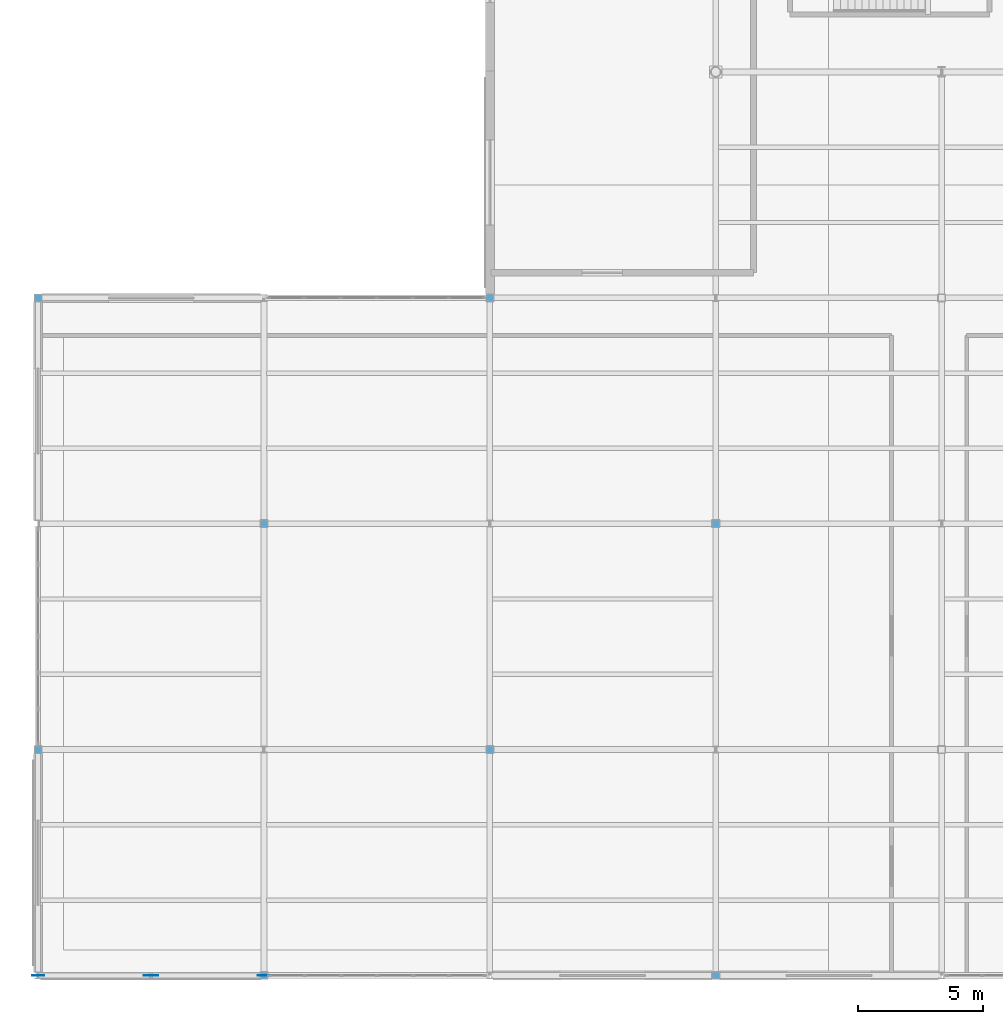
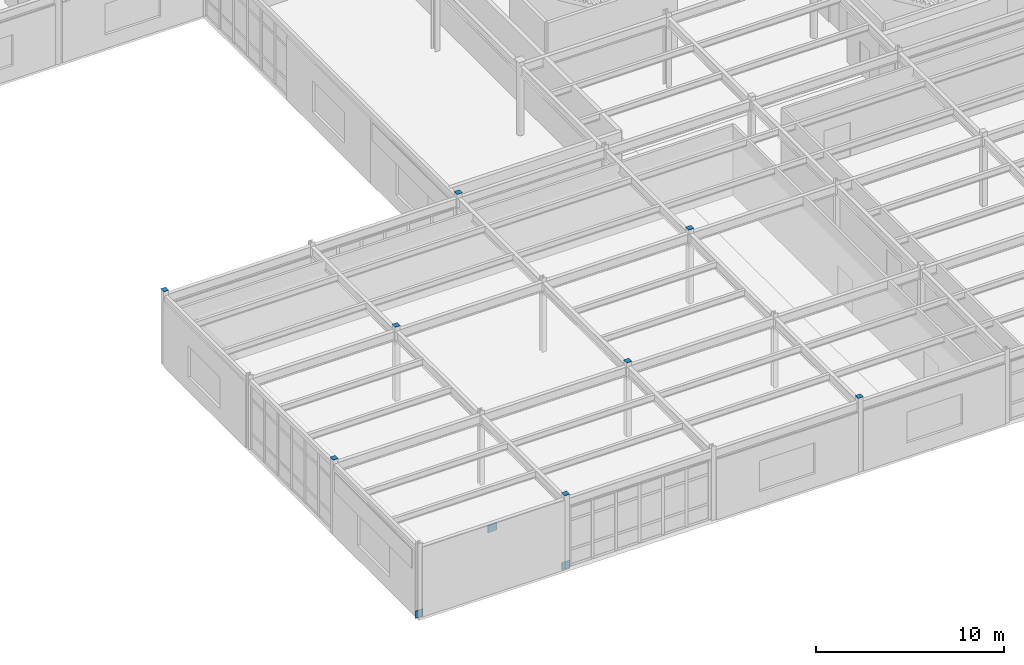
# One storey, part 67 of 84: 11 discrete accessories.
"""IFC4 building model written with IfcOpenShell, lengths in metres."""

from ifc_helpers import new_model, si_unit, direction, frame, origin, origin_2d, place, context, subcontext, project, spatial, rectangle, extrude, material, type_object, element, save


model = new_model("IFC4")

# Units and contexts
model_context = context("Model", 3, precision=1e-05, world=origin(), true_north=direction((0.0, 1.0)))
body_context = subcontext(model_context, "Body", "Model", "MODEL_VIEW")
ifc_project = project(units=[si_unit("LENGTHUNIT", "METRE"), si_unit("AREAUNIT", "SQUARE_METRE"), si_unit("VOLUMEUNIT", "CUBIC_METRE"), si_unit("PLANEANGLEUNIT", "RADIAN"), si_unit("MASSUNIT", "GRAM", prefix="KILO")], contexts=[model_context])

# Site, building, storey
site_placement = place(None, origin())
site = spatial("IfcSite", under=ifc_project, at=site_placement, CompositionType="ELEMENT")
building_placement = place(site_placement, origin())
building = spatial("IfcBuilding", under=site, at=building_placement, Name="Glasvene Arena", CompositionType="ELEMENT")
storey_placement = place(building_placement, frame((0.0, 0.0, 10.199951171875)))
storey = spatial("IfcBuildingStorey", under=building, at=storey_placement, Name="L02", CompositionType="ELEMENT", Elevation=10.199951171875)

# Discrete accessories
ifc_material = material(Name="Steel S355J2", Category="steel")
discrete_accessory_type_1 = type_object("IfcDiscreteAccessoryType", Name="ACC-BRACE-GP20", PredefinedType="BRACKET", material=ifc_material)
for number, where, z_axis, x_axis, name in (
    (1, (0.0, 0.0, -0.06982421875), (0.0, 0.0, 1.0), (1.0, 0.0, 0.0), "Chevron brace base gusset plate L02-041-A"),
    (2, (9.0, 0.0, -0.06982421875), (0.0, 0.0, 1.0), (1.0, 0.0, 0.0), "Chevron brace base gusset plate L02-042-B"),
):
    element("IfcDiscreteAccessory", number, at=place(storey_placement, frame(where, z_axis=z_axis, x_axis=x_axis)), inside=storey, type_object=discrete_accessory_type_1, Name=name, PredefinedType="BRACKET", context=body_context, shape_type="SweptSolid", body=[
        extrude(rectangle(XDim=0.47998046875, YDim=0.02001953125, at=origin_2d()), origin(), (0.0, 0.0, 1.0), 0.47998046875),
    ])
discrete_accessory_placement = place(storey_placement, frame((4.5, 0.0, 3.93017578125), z_axis=(0.0, 0.0, 1.0), x_axis=(1.0, 0.0, 0.0)))
element("IfcDiscreteAccessory", 3, at=discrete_accessory_placement, inside=storey, type_object=discrete_accessory_type_1, Name="Chevron brace apex gusset plate L02-042", PredefinedType="BRACKET", context=body_context, shape_type="SweptSolid", body=[
    extrude(rectangle(XDim=0.56005859375, YDim=0.02001953125, at=origin_2d()), origin(), (0.0, 0.0, 1.0), 0.47998046875),
])
discrete_accessory_type_2 = type_object("IfcDiscreteAccessoryType", Name="ACC-CAP-SHS320", PredefinedType="USERDEFINED", material=ifc_material)
for number, where, z_axis, x_axis, name in (
    (4, (0.0, 9.0, 4.798095703125), (0.0, 0.0, 1.0), (1.0, 0.0, 0.0), "Hollow column top cap plate 1-2 L02"),
    (5, (0.0, 27.0, 4.798095703125), (0.0, 0.0, 1.0), (1.0, 0.0, 0.0), "Hollow column top cap plate 1-4 L02"),
    (6, (9.0, 0.0, 4.798095703125), (0.0, 0.0, 1.0), (1.0, 0.0, 0.0), "Hollow column top cap plate 2-1 L02"),
    (7, (9.0, 18.0, 4.798095703125), (0.0, 0.0, 1.0), (1.0, 0.0, 0.0), "Hollow column top cap plate 2-3 L02"),
    (8, (18.0, 9.0, 4.798095703125), (0.0, 0.0, 1.0), (1.0, 0.0, 0.0), "Hollow column top cap plate 3-2 L02"),
    (9, (18.0, 27.0, 4.798095703125), (0.0, 0.0, 1.0), (1.0, 0.0, 0.0), "Hollow column top cap plate 3-4 L02"),
    (10, (27.0, 0.0, 4.798095703125), (0.0, 0.0, 1.0), (1.0, 0.0, 0.0), "Hollow column top cap plate 4-1 L02"),
    (11, (27.0, 18.0, 4.798095703125), (0.0, 0.0, 1.0), (1.0, 0.0, 0.0), "Hollow column top cap plate 4-3 L02"),
):
    element("IfcDiscreteAccessory", number, at=place(storey_placement, frame(where, z_axis=z_axis, x_axis=x_axis)), inside=storey, type_object=discrete_accessory_type_2, Name=name, ObjectType="CAP PLATE", PredefinedType="USERDEFINED", context=body_context, shape_type="SweptSolid", body=[
        extrude(rectangle(XDim=0.320068359375, YDim=0.320068359375, at=origin_2d()), origin(), (0.0, 0.0, 1.0), 0.02001953125),
    ])

save(model, "model.ifc")
